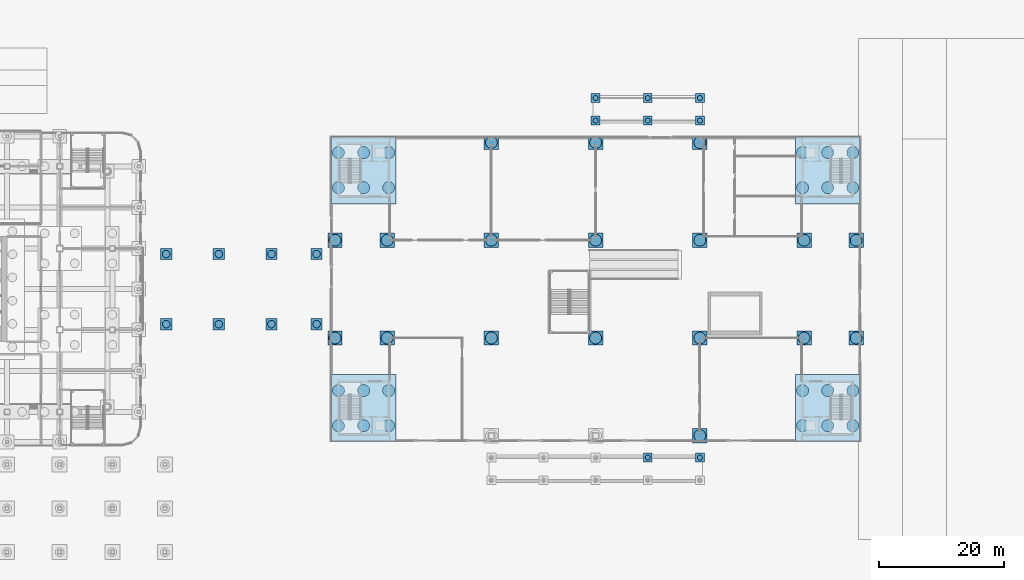
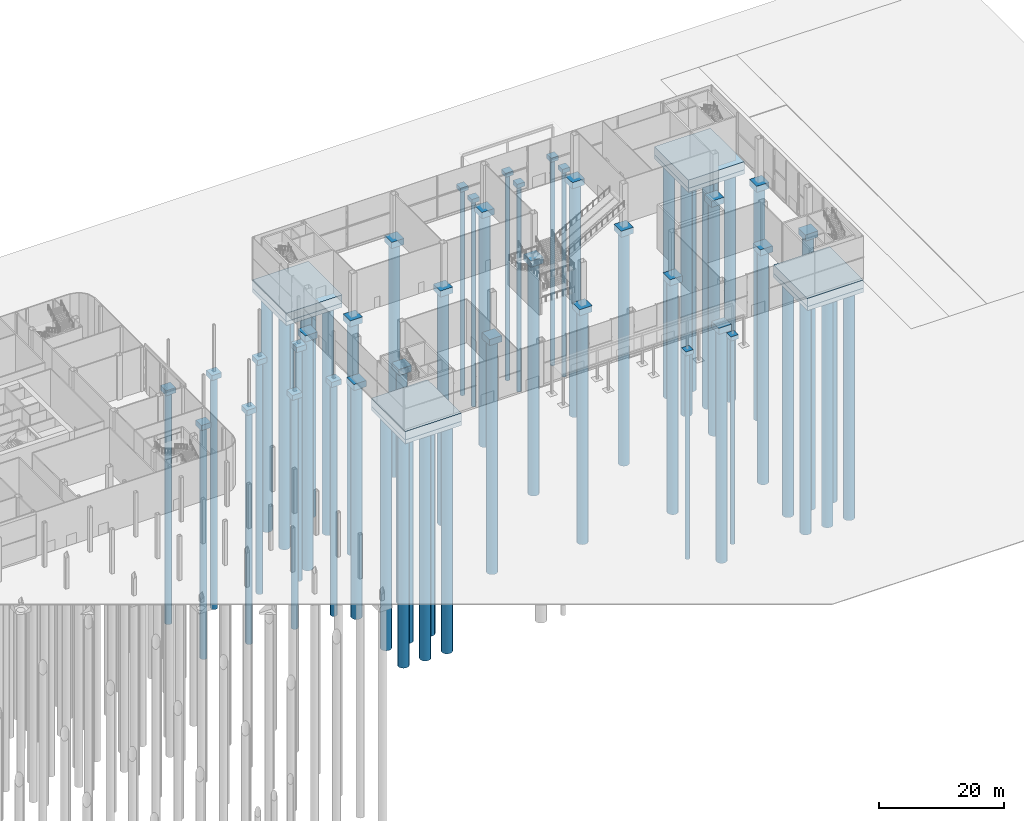
# One storey, part 7 of 113: 58 piles, 42 footings.
"""IFC4 building model written with IfcOpenShell, lengths in metres."""

from ifc_helpers import new_model, si_unit, direction, frame, origin, origin_2d, place, context, subcontext, project, spatial, polyline, circle, outline, extrude, material, layer, layer_set, material_profile, profile_set, type_object, element, save


model = new_model("IFC4")

# Units and contexts
model_context = context("Model", 3, precision=1e-05, world=origin(), true_north=direction((0.0, 1.0)))
body_context = subcontext(model_context, "Body", "Model", "MODEL_VIEW")
ifc_project = project(units=[si_unit("LENGTHUNIT", "METRE"), si_unit("AREAUNIT", "SQUARE_METRE"), si_unit("VOLUMEUNIT", "CUBIC_METRE"), si_unit("PLANEANGLEUNIT", "RADIAN"), si_unit("MASSUNIT", "GRAM", prefix="KILO")], contexts=[model_context])

# Site, building, storey
site_placement = place(None, origin())
site = spatial("IfcSite", under=ifc_project, at=site_placement, CompositionType="ELEMENT")
building_placement = place(site_placement, origin())
building = spatial("IfcBuilding", under=site, at=building_placement, Name="Hakoniwa Tower and Hamabe Station Hall", CompositionType="ELEMENT")
storey_placement = place(building_placement, origin())
storey = spatial("IfcBuildingStorey", under=building, at=storey_placement, Name="L01", CompositionType="ELEMENT", Elevation=0.0)

# Piles
ifc_material_1 = material(Name="Concrete C36", Category="concrete")
ifc_material_profile_1 = material_profile(ifc_material_1, circle(Radius=0.60009765625, at=origin_2d()), Name="ARCADE BORED PILE D1200")
ifc_profile_set_1 = profile_set([ifc_material_profile_1], Name="Concrete C36")
pile_type_1 = type_object("IfcPileType", Name="ARCADE BORED PILE D1200", PredefinedType="BORED", material=ifc_profile_set_1)
for number, where, z_axis, x_axis, name in (
    (1, (59.0, -5.60009765625, -1.14990234375), (0.0, 0.0, -1.0), (1.0, 0.0, 0.0), "Pile AC1S"),
    (2, (59.0, 5.60009765625, -1.14990234375), (0.0, 0.0, -1.0), (1.0, 0.0, 0.0), "Pile AC1N"),
    (3, (67.39990234375, -5.60009765625, -1.14990234375), (0.0, 0.0, -1.0), (1.0, 0.0, 0.0), "Pile AC2S"),
    (4, (67.39990234375, 5.60009765625, -1.14990234375), (0.0, 0.0, -1.0), (1.0, 0.0, 0.0), "Pile AC2N"),
    (5, (75.800048828125, -5.60009765625, -1.14990234375), (0.0, 0.0, -1.0), (1.0, 0.0, 0.0), "Pile AC3S"),
    (6, (75.800048828125, 5.60009765625, -1.14990234375), (0.0, 0.0, -1.0), (1.0, 0.0, 0.0), "Pile AC3N"),
    (7, (83.0, -5.60009765625, -1.14990234375), (0.0, 0.0, -1.0), (1.0, 0.0, 0.0), "Pile AC4S"),
    (8, (83.0, 5.60009765625, -1.14990234375), (0.0, 0.0, -1.0), (1.0, 0.0, 0.0), "Pile AC4N"),
):
    element("IfcPile", number, at=place(storey_placement, frame(where, z_axis=z_axis, x_axis=x_axis)), inside=storey, type_object=pile_type_1, Name=name, PredefinedType="BORED", context=body_context, shape_type="SweptSolid", body=[
        extrude(circle(Radius=0.60009765625, at=origin_2d()), origin(), (0.0, 0.0, 1.0), 45.0),
    ])

# Footings
ifc_material_2 = material(Name="Concrete C36", Category="concrete")
ifc_layer_1 = layer(ifc_material_2, 1.0)
ifc_layer_set_1 = layer_set([ifc_layer_1], Name="ARCADE PILE CAP 1800X1800X1000")
footing_type_1 = type_object("IfcFootingType", Name="ARCADE PILE CAP 1800X1800X1000", PredefinedType="PILE_CAP", material=ifc_layer_set_1)
footing_1_placement = place(storey_placement, frame((0.0, 0.0, -1.14990234375)))
element("IfcFooting", 9, at=footing_1_placement, inside=storey, type_object=footing_type_1, Name="Pile cap AC1S", PredefinedType="PILE_CAP", context=body_context, shape_type="SweptSolid", body=[
    extrude(outline(polyline([(58.10009765625, -6.5), (59.89990234375, -6.5), (59.89990234375, -4.699951171875), (58.10009765625, -4.699951171875), (58.10009765625, -6.5)])), origin(), (0.0, 0.0, 1.0), 1.0),
])
footing_2_placement = place(storey_placement, frame((0.0, 0.0, -1.14990234375)))
element("IfcFooting", 10, at=footing_2_placement, inside=storey, type_object=footing_type_1, Name="Pile cap AC1N", PredefinedType="PILE_CAP", context=body_context, shape_type="SweptSolid", body=[
    extrude(outline(polyline([(58.10009765625, 4.699951171875), (59.89990234375, 4.699951171875), (59.89990234375, 6.5), (58.10009765625, 6.5), (58.10009765625, 4.699951171875)])), origin(), (0.0, 0.0, 1.0), 1.0),
])
footing_3_placement = place(storey_placement, frame((0.0, 0.0, -1.14990234375)))
element("IfcFooting", 11, at=footing_3_placement, inside=storey, type_object=footing_type_1, Name="Pile cap AC2S", PredefinedType="PILE_CAP", context=body_context, shape_type="SweptSolid", body=[
    extrude(outline(polyline([(66.5, -6.5), (68.300048828125, -6.5), (68.300048828125, -4.699951171875), (66.5, -4.699951171875), (66.5, -6.5)])), origin(), (0.0, 0.0, 1.0), 1.0),
])
footing_4_placement = place(storey_placement, frame((0.0, 0.0, -1.14990234375)))
element("IfcFooting", 12, at=footing_4_placement, inside=storey, type_object=footing_type_1, Name="Pile cap AC2N", PredefinedType="PILE_CAP", context=body_context, shape_type="SweptSolid", body=[
    extrude(outline(polyline([(66.5, 4.699951171875), (68.300048828125, 4.699951171875), (68.300048828125, 6.5), (66.5, 6.5), (66.5, 4.699951171875)])), origin(), (0.0, 0.0, 1.0), 1.0),
])
footing_5_placement = place(storey_placement, frame((0.0, 0.0, -1.14990234375)))
element("IfcFooting", 13, at=footing_5_placement, inside=storey, type_object=footing_type_1, Name="Pile cap AC3S", PredefinedType="PILE_CAP", context=body_context, shape_type="SweptSolid", body=[
    extrude(outline(polyline([(74.89990234375, -6.5), (76.699951171875, -6.5), (76.699951171875, -4.699951171875), (74.89990234375, -4.699951171875), (74.89990234375, -6.5)])), origin(), (0.0, 0.0, 1.0), 1.0),
])
footing_6_placement = place(storey_placement, frame((0.0, 0.0, -1.14990234375)))
element("IfcFooting", 14, at=footing_6_placement, inside=storey, type_object=footing_type_1, Name="Pile cap AC3N", PredefinedType="PILE_CAP", context=body_context, shape_type="SweptSolid", body=[
    extrude(outline(polyline([(74.89990234375, 4.699951171875), (76.699951171875, 4.699951171875), (76.699951171875, 6.5), (74.89990234375, 6.5), (74.89990234375, 4.699951171875)])), origin(), (0.0, 0.0, 1.0), 1.0),
])
footing_7_placement = place(storey_placement, frame((0.0, 0.0, -1.14990234375)))
element("IfcFooting", 15, at=footing_7_placement, inside=storey, type_object=footing_type_1, Name="Pile cap AC4S", PredefinedType="PILE_CAP", context=body_context, shape_type="SweptSolid", body=[
    extrude(outline(polyline([(82.10009765625, -6.5), (83.89990234375, -6.5), (83.89990234375, -4.699951171875), (82.10009765625, -4.699951171875), (82.10009765625, -6.5)])), origin(), (0.0, 0.0, 1.0), 1.0),
])
footing_8_placement = place(storey_placement, frame((0.0, 0.0, -1.14990234375)))
element("IfcFooting", 16, at=footing_8_placement, inside=storey, type_object=footing_type_1, Name="Pile cap AC4N", PredefinedType="PILE_CAP", context=body_context, shape_type="SweptSolid", body=[
    extrude(outline(polyline([(82.10009765625, 4.699951171875), (83.89990234375, 4.699951171875), (83.89990234375, 6.5), (82.10009765625, 6.5), (82.10009765625, 4.699951171875)])), origin(), (0.0, 0.0, 1.0), 1.0),
])

# Piles
ifc_material_3 = material(Name="Concrete C36", Category="concrete")
ifc_material_profile_2 = material_profile(ifc_material_3, circle(Radius=0.39990234375, at=origin_2d()), Name="CANOPY BORED PILE D800")
ifc_profile_set_2 = profile_set([ifc_material_profile_2], Name="Concrete C36")
pile_type_2 = type_object("IfcPileType", Name="CANOPY BORED PILE D800", PredefinedType="BORED", material=ifc_profile_set_2)
for number, where, z_axis, x_axis, name in (
    (17, (135.8701171875, -26.89990234375, -0.800048828125), (0.0, 0.0, -1.0), (1.0, 0.0, 0.0), "Canopy pile S14"),
    (18, (144.18994140625, -26.89990234375, -0.800048828125), (0.0, 0.0, -1.0), (1.0, 0.0, 0.0), "Canopy pile S15"),
    (19, (127.550048828125, 26.89990234375, -0.800048828125), (0.0, 0.0, -1.0), (1.0, 0.0, 0.0), "Canopy pile N11"),
    (20, (135.8701171875, 26.89990234375, -0.800048828125), (0.0, 0.0, -1.0), (1.0, 0.0, 0.0), "Canopy pile N12"),
    (21, (144.18994140625, 26.89990234375, -0.800048828125), (0.0, 0.0, -1.0), (1.0, 0.0, 0.0), "Canopy pile N13"),
    (22, (127.550048828125, 30.5, -0.800048828125), (0.0, 0.0, -1.0), (1.0, 0.0, 0.0), "Canopy pile N21"),
    (23, (135.8701171875, 30.5, -0.800048828125), (0.0, 0.0, -1.0), (1.0, 0.0, 0.0), "Canopy pile N22"),
    (24, (144.18994140625, 30.5, -0.800048828125), (0.0, 0.0, -1.0), (1.0, 0.0, 0.0), "Canopy pile N23"),
):
    element("IfcPile", number, at=place(storey_placement, frame(where, z_axis=z_axis, x_axis=x_axis)), inside=storey, type_object=pile_type_2, Name=name, PredefinedType="BORED", context=body_context, shape_type="SweptSolid", body=[
        extrude(circle(Radius=0.39990234375, at=origin_2d()), origin(), (0.0, 0.0, 1.0), 40.0),
    ])

# Footings
ifc_material_4 = material(Name="Concrete C36", Category="concrete")
ifc_layer_2 = layer(ifc_material_4, 0.800048828125)
ifc_layer_set_2 = layer_set([ifc_layer_2], Name="CANOPY PILE CAP 1 PILE")
footing_type_2 = type_object("IfcFootingType", Name="CANOPY PILE CAP 1 PILE", PredefinedType="PILE_CAP", material=ifc_layer_set_2)
footing_9_placement = place(storey_placement, frame((0.0, 0.0, -0.800048828125)))
element("IfcFooting", 25, at=footing_9_placement, inside=storey, type_object=footing_type_2, Name="Canopy cap S14", PredefinedType="PILE_CAP", context=body_context, shape_type="SweptSolid", body=[
    extrude(outline(polyline([(135.169921875, -27.60009765625), (136.570068359375, -27.60009765625), (136.570068359375, -26.199951171875), (135.169921875, -26.199951171875), (135.169921875, -27.60009765625)])), origin(), (0.0, 0.0, 1.0), 0.800048828125),
])
footing_10_placement = place(storey_placement, frame((0.0, 0.0, -0.800048828125)))
element("IfcFooting", 26, at=footing_10_placement, inside=storey, type_object=footing_type_2, Name="Canopy cap S15", PredefinedType="PILE_CAP", context=body_context, shape_type="SweptSolid", body=[
    extrude(outline(polyline([(143.489990234375, -27.60009765625), (144.889892578125, -27.60009765625), (144.889892578125, -26.199951171875), (143.489990234375, -26.199951171875), (143.489990234375, -27.60009765625)])), origin(), (0.0, 0.0, 1.0), 0.800048828125),
])
footing_11_placement = place(storey_placement, frame((0.0, 0.0, -0.800048828125)))
element("IfcFooting", 27, at=footing_11_placement, inside=storey, type_object=footing_type_2, Name="Canopy cap N11", PredefinedType="PILE_CAP", context=body_context, shape_type="SweptSolid", body=[
    extrude(outline(polyline([(126.85009765625, 26.199951171875), (128.25, 26.199951171875), (128.25, 27.60009765625), (126.85009765625, 27.60009765625), (126.85009765625, 26.199951171875)])), origin(), (0.0, 0.0, 1.0), 0.800048828125),
])
footing_12_placement = place(storey_placement, frame((0.0, 0.0, -0.800048828125)))
element("IfcFooting", 28, at=footing_12_placement, inside=storey, type_object=footing_type_2, Name="Canopy cap N12", PredefinedType="PILE_CAP", context=body_context, shape_type="SweptSolid", body=[
    extrude(outline(polyline([(135.169921875, 26.199951171875), (136.570068359375, 26.199951171875), (136.570068359375, 27.60009765625), (135.169921875, 27.60009765625), (135.169921875, 26.199951171875)])), origin(), (0.0, 0.0, 1.0), 0.800048828125),
])
footing_13_placement = place(storey_placement, frame((0.0, 0.0, -0.800048828125)))
element("IfcFooting", 29, at=footing_13_placement, inside=storey, type_object=footing_type_2, Name="Canopy cap N13", PredefinedType="PILE_CAP", context=body_context, shape_type="SweptSolid", body=[
    extrude(outline(polyline([(143.489990234375, 26.199951171875), (144.889892578125, 26.199951171875), (144.889892578125, 27.60009765625), (143.489990234375, 27.60009765625), (143.489990234375, 26.199951171875)])), origin(), (0.0, 0.0, 1.0), 0.800048828125),
])
footing_14_placement = place(storey_placement, frame((0.0, 0.0, -0.800048828125)))
element("IfcFooting", 30, at=footing_14_placement, inside=storey, type_object=footing_type_2, Name="Canopy cap N21", PredefinedType="PILE_CAP", context=body_context, shape_type="SweptSolid", body=[
    extrude(outline(polyline([(126.85009765625, 29.800048828125), (128.25, 29.800048828125), (128.25, 31.199951171875), (126.85009765625, 31.199951171875), (126.85009765625, 29.800048828125)])), origin(), (0.0, 0.0, 1.0), 0.800048828125),
])
footing_15_placement = place(storey_placement, frame((0.0, 0.0, -0.800048828125)))
element("IfcFooting", 31, at=footing_15_placement, inside=storey, type_object=footing_type_2, Name="Canopy cap N22", PredefinedType="PILE_CAP", context=body_context, shape_type="SweptSolid", body=[
    extrude(outline(polyline([(135.169921875, 29.800048828125), (136.570068359375, 29.800048828125), (136.570068359375, 31.199951171875), (135.169921875, 31.199951171875), (135.169921875, 29.800048828125)])), origin(), (0.0, 0.0, 1.0), 0.800048828125),
])
footing_16_placement = place(storey_placement, frame((0.0, 0.0, -0.800048828125)))
element("IfcFooting", 32, at=footing_16_placement, inside=storey, type_object=footing_type_2, Name="Canopy cap N23", PredefinedType="PILE_CAP", context=body_context, shape_type="SweptSolid", body=[
    extrude(outline(polyline([(143.489990234375, 29.800048828125), (144.889892578125, 29.800048828125), (144.889892578125, 31.199951171875), (143.489990234375, 31.199951171875), (143.489990234375, 29.800048828125)])), origin(), (0.0, 0.0, 1.0), 0.800048828125),
])

# Piles
ifc_material_5 = material(Name="Concrete C36", Category="concrete")
ifc_material_profile_3 = material_profile(ifc_material_5, circle(Radius=0.949951171875, at=origin_2d()), Name="STATION BORED PILE D1900")
ifc_profile_set_3 = profile_set([ifc_material_profile_3], Name="Concrete C36")
pile_type_3 = type_object("IfcPileType", Name="STATION BORED PILE D1900", PredefinedType="BORED", material=ifc_profile_set_3)
for number, where, z_axis, x_axis, name in (
    (33, (85.949951171875, -7.800048828125, -1.199951171875), (0.0, 0.0, -1.0), (1.0, 0.0, 0.0), "Station pile 1-C"),
    (34, (85.949951171875, 7.800048828125, -1.199951171875), (0.0, 0.0, -1.0), (1.0, 0.0, 0.0), "Station pile 1-E"),
    (35, (94.27001953125, -7.800048828125, -1.199951171875), (0.0, 0.0, -1.0), (1.0, 0.0, 0.0), "Station pile 2-C"),
    (36, (94.27001953125, 7.800048828125, -1.199951171875), (0.0, 0.0, -1.0), (1.0, 0.0, 0.0), "Station pile 2-E"),
    (37, (110.909912109375, -7.800048828125, -1.199951171875), (0.0, 0.0, -1.0), (1.0, 0.0, 0.0), "Station pile 4-C"),
    (38, (110.909912109375, 7.800048828125, -1.199951171875), (0.0, 0.0, -1.0), (1.0, 0.0, 0.0), "Station pile 4-E"),
    (39, (110.909912109375, 23.39990234375, -1.199951171875), (0.0, 0.0, -1.0), (1.0, 0.0, 0.0), "Station pile 4-G"),
    (40, (127.550048828125, -7.800048828125, -1.199951171875), (0.0, 0.0, -1.0), (1.0, 0.0, 0.0), "Station pile 6-C"),
    (41, (127.550048828125, 7.800048828125, -1.199951171875), (0.0, 0.0, -1.0), (1.0, 0.0, 0.0), "Station pile 6-E"),
    (42, (127.550048828125, 23.39990234375, -1.199951171875), (0.0, 0.0, -1.0), (1.0, 0.0, 0.0), "Station pile 6-G"),
    (43, (144.18994140625, -23.39990234375, -1.199951171875), (0.0, 0.0, -1.0), (1.0, 0.0, 0.0), "Station pile 8-A"),
    (44, (144.18994140625, -7.800048828125, -1.199951171875), (0.0, 0.0, -1.0), (1.0, 0.0, 0.0), "Station pile 8-C"),
    (45, (144.18994140625, 7.800048828125, -1.199951171875), (0.0, 0.0, -1.0), (1.0, 0.0, 0.0), "Station pile 8-E"),
    (46, (144.18994140625, 23.39990234375, -1.199951171875), (0.0, 0.0, -1.0), (1.0, 0.0, 0.0), "Station pile 8-G"),
    (47, (160.830078125, -7.800048828125, -1.199951171875), (0.0, 0.0, -1.0), (1.0, 0.0, 0.0), "Station pile 10-C"),
    (48, (160.830078125, 7.800048828125, -1.199951171875), (0.0, 0.0, -1.0), (1.0, 0.0, 0.0), "Station pile 10-E"),
    (49, (169.14990234375, -7.800048828125, -1.199951171875), (0.0, 0.0, -1.0), (1.0, 0.0, 0.0), "Station pile 11-C"),
    (50, (169.14990234375, 7.800048828125, -1.199951171875), (0.0, 0.0, -1.0), (1.0, 0.0, 0.0), "Station pile 11-E"),
    (51, (86.510009765625, 16.199951171875, -2.39990234375), (0.0, 0.0, -1.0), (1.0, 0.0, 0.0), "Station core SC1 pile 1-1"),
    (52, (86.510009765625, 21.800048828125, -2.39990234375), (0.0, 0.0, -1.0), (1.0, 0.0, 0.0), "Station core SC1 pile 1-2"),
    (53, (90.510009765625, 16.199951171875, -2.39990234375), (0.0, 0.0, -1.0), (1.0, 0.0, 0.0), "Station core SC1 pile 2-1"),
    (54, (90.510009765625, 21.800048828125, -2.39990234375), (0.0, 0.0, -1.0), (1.0, 0.0, 0.0), "Station core SC1 pile 2-2"),
    (55, (94.510009765625, 16.199951171875, -2.39990234375), (0.0, 0.0, -1.0), (1.0, 0.0, 0.0), "Station core SC1 pile 3-1"),
    (56, (94.510009765625, 21.800048828125, -2.39990234375), (0.0, 0.0, -1.0), (1.0, 0.0, 0.0), "Station core SC1 pile 3-2"),
    (57, (160.590087890625, 16.199951171875, -2.39990234375), (0.0, 0.0, -1.0), (1.0, 0.0, 0.0), "Station core SC2 pile 1-1"),
    (58, (160.590087890625, 21.800048828125, -2.39990234375), (0.0, 0.0, -1.0), (1.0, 0.0, 0.0), "Station core SC2 pile 1-2"),
    (59, (164.590087890625, 16.199951171875, -2.39990234375), (0.0, 0.0, -1.0), (1.0, 0.0, 0.0), "Station core SC2 pile 2-1"),
    (60, (164.590087890625, 21.800048828125, -2.39990234375), (0.0, 0.0, -1.0), (1.0, 0.0, 0.0), "Station core SC2 pile 2-2"),
    (61, (168.590087890625, 16.199951171875, -2.39990234375), (0.0, 0.0, -1.0), (1.0, 0.0, 0.0), "Station core SC2 pile 3-1"),
    (62, (168.590087890625, 21.800048828125, -2.39990234375), (0.0, 0.0, -1.0), (1.0, 0.0, 0.0), "Station core SC2 pile 3-2"),
    (63, (86.510009765625, -21.800048828125, -2.39990234375), (0.0, 0.0, -1.0), (1.0, 0.0, 0.0), "Station core SC3 pile 1-1"),
    (64, (86.510009765625, -16.199951171875, -2.39990234375), (0.0, 0.0, -1.0), (1.0, 0.0, 0.0), "Station core SC3 pile 1-2"),
    (65, (90.510009765625, -21.800048828125, -2.39990234375), (0.0, 0.0, -1.0), (1.0, 0.0, 0.0), "Station core SC3 pile 2-1"),
    (66, (90.510009765625, -16.199951171875, -2.39990234375), (0.0, 0.0, -1.0), (1.0, 0.0, 0.0), "Station core SC3 pile 2-2"),
    (67, (94.510009765625, -21.800048828125, -2.39990234375), (0.0, 0.0, -1.0), (1.0, 0.0, 0.0), "Station core SC3 pile 3-1"),
    (68, (94.510009765625, -16.199951171875, -2.39990234375), (0.0, 0.0, -1.0), (1.0, 0.0, 0.0), "Station core SC3 pile 3-2"),
    (69, (160.590087890625, -21.800048828125, -2.39990234375), (0.0, 0.0, -1.0), (1.0, 0.0, 0.0), "Station core SC4 pile 1-1"),
    (70, (160.590087890625, -16.199951171875, -2.39990234375), (0.0, 0.0, -1.0), (1.0, 0.0, 0.0), "Station core SC4 pile 1-2"),
    (71, (164.590087890625, -21.800048828125, -2.39990234375), (0.0, 0.0, -1.0), (1.0, 0.0, 0.0), "Station core SC4 pile 2-1"),
    (72, (164.590087890625, -16.199951171875, -2.39990234375), (0.0, 0.0, -1.0), (1.0, 0.0, 0.0), "Station core SC4 pile 2-2"),
    (73, (168.590087890625, -21.800048828125, -2.39990234375), (0.0, 0.0, -1.0), (1.0, 0.0, 0.0), "Station core SC4 pile 3-1"),
    (74, (168.590087890625, -16.199951171875, -2.39990234375), (0.0, 0.0, -1.0), (1.0, 0.0, 0.0), "Station core SC4 pile 3-2"),
):
    element("IfcPile", number, at=place(storey_placement, frame(where, z_axis=z_axis, x_axis=x_axis)), inside=storey, type_object=pile_type_3, Name=name, PredefinedType="BORED", context=body_context, shape_type="SweptSolid", body=[
        extrude(circle(Radius=0.949951171875, at=origin_2d()), origin(), (0.0, 0.0, 1.0), 45.0),
    ])

# Footings
ifc_material_6 = material(Name="Concrete C36", Category="concrete")
ifc_layer_3 = layer(ifc_material_6, 0.800048828125)
ifc_layer_set_3 = layer_set([ifc_layer_3], Name="STATION CORE RAFT BASE")
footing_type_3 = type_object("IfcFootingType", Name="STATION CORE RAFT BASE", PredefinedType="PILE_CAP", material=ifc_layer_set_3)
footing_17_placement = place(storey_placement, frame((0.0, 0.0, -2.39990234375)))
element("IfcFooting", 75, at=footing_17_placement, inside=storey, type_object=footing_type_3, Name="Core raft SC1 base", PredefinedType="PILE_CAP", context=body_context, shape_type="SweptSolid", body=[
    extrude(outline(polyline([(95.669921875, 13.60009765625), (85.35009765625, 13.60009765625), (85.35009765625, 24.39990234375), (95.669921875, 24.39990234375), (95.669921875, 13.60009765625)])), origin(), (0.0, 0.0, 1.0), 0.7998046875),
])
footing_18_placement = place(storey_placement, frame((0.0, 0.0, -2.39990234375)))
element("IfcFooting", 76, at=footing_18_placement, inside=storey, type_object=footing_type_3, Name="Core raft SC2 base", PredefinedType="PILE_CAP", context=body_context, shape_type="SweptSolid", body=[
    extrude(outline(polyline([(169.75, 13.60009765625), (159.429931640625, 13.60009765625), (159.429931640625, 24.39990234375), (169.75, 24.39990234375), (169.75, 13.60009765625)])), origin(), (0.0, 0.0, 1.0), 0.7998046875),
])
footing_19_placement = place(storey_placement, frame((0.0, 0.0, -2.39990234375)))
element("IfcFooting", 77, at=footing_19_placement, inside=storey, type_object=footing_type_3, Name="Core raft SC3 base", PredefinedType="PILE_CAP", context=body_context, shape_type="SweptSolid", body=[
    extrude(outline(polyline([(95.669921875, -24.39990234375), (85.35009765625, -24.39990234375), (85.35009765625, -13.60009765625), (95.669921875, -13.60009765625), (95.669921875, -24.39990234375)])), origin(), (0.0, 0.0, 1.0), 0.7998046875),
])
footing_20_placement = place(storey_placement, frame((0.0, 0.0, -2.39990234375)))
element("IfcFooting", 78, at=footing_20_placement, inside=storey, type_object=footing_type_3, Name="Core raft SC4 base", PredefinedType="PILE_CAP", context=body_context, shape_type="SweptSolid", body=[
    extrude(outline(polyline([(169.75, -24.39990234375), (159.429931640625, -24.39990234375), (159.429931640625, -13.60009765625), (169.75, -13.60009765625), (169.75, -24.39990234375)])), origin(), (0.0, 0.0, 1.0), 0.7998046875),
])
ifc_material_7 = material(Name="Concrete C36", Category="concrete")
ifc_layer_4 = layer(ifc_material_7, 1.60009765625)
ifc_layer_set_4 = layer_set([ifc_layer_4], Name="STATION CORE RAFT UPPER")
footing_type_4 = type_object("IfcFootingType", Name="STATION CORE RAFT UPPER", PredefinedType="PILE_CAP", material=ifc_layer_set_4)
footing_21_placement = place(storey_placement, frame((0.0, 0.0, -1.60009765625)))
element("IfcFooting", 79, at=footing_21_placement, inside=storey, type_object=footing_type_4, Name="Core raft SC1 upper", PredefinedType="PILE_CAP", context=body_context, shape_type="SweptSolid", body=[
    extrude(outline(polyline([(85.35009765625, 13.60009765625), (85.35009765625, 24.39990234375), (95.669921875, 24.39990234375), (95.669921875, 13.60009765625), (85.35009765625, 13.60009765625)])), origin(), (0.0, 0.0, 1.0), 1.60009765625),
])
footing_22_placement = place(storey_placement, frame((0.0, 0.0, -1.60009765625)))
element("IfcFooting", 80, at=footing_22_placement, inside=storey, type_object=footing_type_4, Name="Core raft SC2 upper", PredefinedType="PILE_CAP", context=body_context, shape_type="SweptSolid", body=[
    extrude(outline(polyline([(159.429931640625, 13.60009765625), (159.429931640625, 24.39990234375), (169.75, 24.39990234375), (169.75, 13.60009765625), (159.429931640625, 13.60009765625)])), origin(), (0.0, 0.0, 1.0), 1.60009765625),
])
footing_23_placement = place(storey_placement, frame((0.0, 0.0, -1.60009765625)))
element("IfcFooting", 81, at=footing_23_placement, inside=storey, type_object=footing_type_4, Name="Core raft SC3 upper", PredefinedType="PILE_CAP", context=body_context, shape_type="SweptSolid", body=[
    extrude(outline(polyline([(85.35009765625, -24.39990234375), (85.35009765625, -13.60009765625), (95.669921875, -13.60009765625), (95.669921875, -24.39990234375), (85.35009765625, -24.39990234375)])), origin(), (0.0, 0.0, 1.0), 1.60009765625),
])
footing_24_placement = place(storey_placement, frame((0.0, 0.0, -1.60009765625)))
element("IfcFooting", 82, at=footing_24_placement, inside=storey, type_object=footing_type_4, Name="Core raft SC4 upper", PredefinedType="PILE_CAP", context=body_context, shape_type="SweptSolid", body=[
    extrude(outline(polyline([(159.429931640625, -24.39990234375), (159.429931640625, -13.60009765625), (169.75, -13.60009765625), (169.75, -24.39990234375), (159.429931640625, -24.39990234375)])), origin(), (0.0, 0.0, 1.0), 1.60009765625),
])
ifc_material_8 = material(Name="Concrete C36", Category="concrete")
ifc_layer_5 = layer(ifc_material_8, 1.199951171875)
ifc_layer_set_5 = layer_set([ifc_layer_5], Name="STATION PILE CAP 1 PILE")
footing_type_5 = type_object("IfcFootingType", Name="STATION PILE CAP 1 PILE", PredefinedType="PILE_CAP", material=ifc_layer_set_5)
footing_25_placement = place(storey_placement, frame((0.0, 0.0, -1.199951171875)))
element("IfcFooting", 83, at=footing_25_placement, inside=storey, type_object=footing_type_5, Name="Pile cap S1C", PredefinedType="PILE_CAP", context=body_context, shape_type="SweptSolid", body=[
    extrude(outline(polyline([(87.10009765625, -8.949951171875), (87.10009765625, -6.64990234375), (84.800048828125, -6.64990234375), (84.800048828125, -8.949951171875), (87.10009765625, -8.949951171875)])), origin(), (0.0, 0.0, 1.0), 1.199951171875),
])
footing_26_placement = place(storey_placement, frame((0.0, 0.0, -1.199951171875)))
element("IfcFooting", 84, at=footing_26_placement, inside=storey, type_object=footing_type_5, Name="Pile cap S1E", PredefinedType="PILE_CAP", context=body_context, shape_type="SweptSolid", body=[
    extrude(outline(polyline([(87.10009765625, 6.64990234375), (87.10009765625, 8.949951171875), (84.800048828125, 8.949951171875), (84.800048828125, 6.64990234375), (87.10009765625, 6.64990234375)])), origin(), (0.0, 0.0, 1.0), 1.199951171875),
])
footing_27_placement = place(storey_placement, frame((0.0, 0.0, -1.199951171875)))
element("IfcFooting", 85, at=footing_27_placement, inside=storey, type_object=footing_type_5, Name="Pile cap S2C", PredefinedType="PILE_CAP", context=body_context, shape_type="SweptSolid", body=[
    extrude(outline(polyline([(95.419921875, -8.949951171875), (95.419921875, -6.64990234375), (93.1201171875, -6.64990234375), (93.1201171875, -8.949951171875), (95.419921875, -8.949951171875)])), origin(), (0.0, 0.0, 1.0), 1.199951171875),
])
footing_28_placement = place(storey_placement, frame((0.0, 0.0, -1.199951171875)))
element("IfcFooting", 86, at=footing_28_placement, inside=storey, type_object=footing_type_5, Name="Pile cap S2E", PredefinedType="PILE_CAP", context=body_context, shape_type="SweptSolid", body=[
    extrude(outline(polyline([(95.419921875, 6.64990234375), (95.419921875, 8.949951171875), (93.1201171875, 8.949951171875), (93.1201171875, 6.64990234375), (95.419921875, 6.64990234375)])), origin(), (0.0, 0.0, 1.0), 1.199951171875),
])
footing_29_placement = place(storey_placement, frame((0.0, 0.0, -1.199951171875)))
element("IfcFooting", 87, at=footing_29_placement, inside=storey, type_object=footing_type_5, Name="Pile cap S4C", PredefinedType="PILE_CAP", context=body_context, shape_type="SweptSolid", body=[
    extrude(outline(polyline([(112.06005859375, -8.949951171875), (112.06005859375, -6.64990234375), (109.760009765625, -6.64990234375), (109.760009765625, -8.949951171875), (112.06005859375, -8.949951171875)])), origin(), (0.0, 0.0, 1.0), 1.199951171875),
])
footing_30_placement = place(storey_placement, frame((0.0, 0.0, -1.199951171875)))
element("IfcFooting", 88, at=footing_30_placement, inside=storey, type_object=footing_type_5, Name="Pile cap S4E", PredefinedType="PILE_CAP", context=body_context, shape_type="SweptSolid", body=[
    extrude(outline(polyline([(112.06005859375, 6.64990234375), (112.06005859375, 8.949951171875), (109.760009765625, 8.949951171875), (109.760009765625, 6.64990234375), (112.06005859375, 6.64990234375)])), origin(), (0.0, 0.0, 1.0), 1.199951171875),
])
footing_31_placement = place(storey_placement, frame((0.0, 0.0, -1.199951171875)))
element("IfcFooting", 89, at=footing_31_placement, inside=storey, type_object=footing_type_5, Name="Pile cap S4G", PredefinedType="PILE_CAP", context=body_context, shape_type="SweptSolid", body=[
    extrude(outline(polyline([(112.06005859375, 22.25), (112.06005859375, 24.550048828125), (109.760009765625, 24.550048828125), (109.760009765625, 22.25), (112.06005859375, 22.25)])), origin(), (0.0, 0.0, 1.0), 1.199951171875),
])
footing_32_placement = place(storey_placement, frame((0.0, 0.0, -1.199951171875)))
element("IfcFooting", 90, at=footing_32_placement, inside=storey, type_object=footing_type_5, Name="Pile cap S6C", PredefinedType="PILE_CAP", context=body_context, shape_type="SweptSolid", body=[
    extrude(outline(polyline([(128.699951171875, -8.949951171875), (128.699951171875, -6.64990234375), (126.39990234375, -6.64990234375), (126.39990234375, -8.949951171875), (128.699951171875, -8.949951171875)])), origin(), (0.0, 0.0, 1.0), 1.199951171875),
])
footing_33_placement = place(storey_placement, frame((0.0, 0.0, -1.199951171875)))
element("IfcFooting", 91, at=footing_33_placement, inside=storey, type_object=footing_type_5, Name="Pile cap S6E", PredefinedType="PILE_CAP", context=body_context, shape_type="SweptSolid", body=[
    extrude(outline(polyline([(128.699951171875, 6.64990234375), (128.699951171875, 8.949951171875), (126.39990234375, 8.949951171875), (126.39990234375, 6.64990234375), (128.699951171875, 6.64990234375)])), origin(), (0.0, 0.0, 1.0), 1.199951171875),
])
footing_34_placement = place(storey_placement, frame((0.0, 0.0, -1.199951171875)))
element("IfcFooting", 92, at=footing_34_placement, inside=storey, type_object=footing_type_5, Name="Pile cap S6G", PredefinedType="PILE_CAP", context=body_context, shape_type="SweptSolid", body=[
    extrude(outline(polyline([(128.699951171875, 22.25), (128.699951171875, 24.550048828125), (126.39990234375, 24.550048828125), (126.39990234375, 22.25), (128.699951171875, 22.25)])), origin(), (0.0, 0.0, 1.0), 1.199951171875),
])
footing_35_placement = place(storey_placement, frame((0.0, 0.0, -1.199951171875)))
element("IfcFooting", 93, at=footing_35_placement, inside=storey, type_object=footing_type_5, Name="Pile cap S8A", PredefinedType="PILE_CAP", context=body_context, shape_type="SweptSolid", body=[
    extrude(outline(polyline([(145.340087890625, -24.550048828125), (145.340087890625, -22.25), (143.0400390625, -22.25), (143.0400390625, -24.550048828125), (145.340087890625, -24.550048828125)])), origin(), (0.0, 0.0, 1.0), 1.199951171875),
])
footing_36_placement = place(storey_placement, frame((0.0, 0.0, -1.199951171875)))
element("IfcFooting", 94, at=footing_36_placement, inside=storey, type_object=footing_type_5, Name="Pile cap S8C", PredefinedType="PILE_CAP", context=body_context, shape_type="SweptSolid", body=[
    extrude(outline(polyline([(145.340087890625, -8.949951171875), (145.340087890625, -6.64990234375), (143.0400390625, -6.64990234375), (143.0400390625, -8.949951171875), (145.340087890625, -8.949951171875)])), origin(), (0.0, 0.0, 1.0), 1.199951171875),
])
footing_37_placement = place(storey_placement, frame((0.0, 0.0, -1.199951171875)))
element("IfcFooting", 95, at=footing_37_placement, inside=storey, type_object=footing_type_5, Name="Pile cap S8E", PredefinedType="PILE_CAP", context=body_context, shape_type="SweptSolid", body=[
    extrude(outline(polyline([(145.340087890625, 6.64990234375), (145.340087890625, 8.949951171875), (143.0400390625, 8.949951171875), (143.0400390625, 6.64990234375), (145.340087890625, 6.64990234375)])), origin(), (0.0, 0.0, 1.0), 1.199951171875),
])
footing_38_placement = place(storey_placement, frame((0.0, 0.0, -1.199951171875)))
element("IfcFooting", 96, at=footing_38_placement, inside=storey, type_object=footing_type_5, Name="Pile cap S8G", PredefinedType="PILE_CAP", context=body_context, shape_type="SweptSolid", body=[
    extrude(outline(polyline([(145.340087890625, 22.25), (145.340087890625, 24.550048828125), (143.0400390625, 24.550048828125), (143.0400390625, 22.25), (145.340087890625, 22.25)])), origin(), (0.0, 0.0, 1.0), 1.199951171875),
])
footing_39_placement = place(storey_placement, frame((0.0, 0.0, -1.199951171875)))
element("IfcFooting", 97, at=footing_39_placement, inside=storey, type_object=footing_type_5, Name="Pile cap S10C", PredefinedType="PILE_CAP", context=body_context, shape_type="SweptSolid", body=[
    extrude(outline(polyline([(161.97998046875, -8.949951171875), (161.97998046875, -6.64990234375), (159.679931640625, -6.64990234375), (159.679931640625, -8.949951171875), (161.97998046875, -8.949951171875)])), origin(), (0.0, 0.0, 1.0), 1.199951171875),
])
footing_40_placement = place(storey_placement, frame((0.0, 0.0, -1.199951171875)))
element("IfcFooting", 98, at=footing_40_placement, inside=storey, type_object=footing_type_5, Name="Pile cap S10E", PredefinedType="PILE_CAP", context=body_context, shape_type="SweptSolid", body=[
    extrude(outline(polyline([(161.97998046875, 6.64990234375), (161.97998046875, 8.949951171875), (159.679931640625, 8.949951171875), (159.679931640625, 6.64990234375), (161.97998046875, 6.64990234375)])), origin(), (0.0, 0.0, 1.0), 1.199951171875),
])
footing_41_placement = place(storey_placement, frame((0.0, 0.0, -1.199951171875)))
element("IfcFooting", 99, at=footing_41_placement, inside=storey, type_object=footing_type_5, Name="Pile cap S11C", PredefinedType="PILE_CAP", context=body_context, shape_type="SweptSolid", body=[
    extrude(outline(polyline([(170.300048828125, -8.949951171875), (170.300048828125, -6.64990234375), (168.0, -6.64990234375), (168.0, -8.949951171875), (170.300048828125, -8.949951171875)])), origin(), (0.0, 0.0, 1.0), 1.199951171875),
])
footing_42_placement = place(storey_placement, frame((0.0, 0.0, -1.199951171875)))
element("IfcFooting", 100, at=footing_42_placement, inside=storey, type_object=footing_type_5, Name="Pile cap S11E", PredefinedType="PILE_CAP", context=body_context, shape_type="SweptSolid", body=[
    extrude(outline(polyline([(170.300048828125, 6.64990234375), (170.300048828125, 8.949951171875), (168.0, 8.949951171875), (168.0, 6.64990234375), (170.300048828125, 6.64990234375)])), origin(), (0.0, 0.0, 1.0), 1.199951171875),
])

save(model, "model.ifc")
